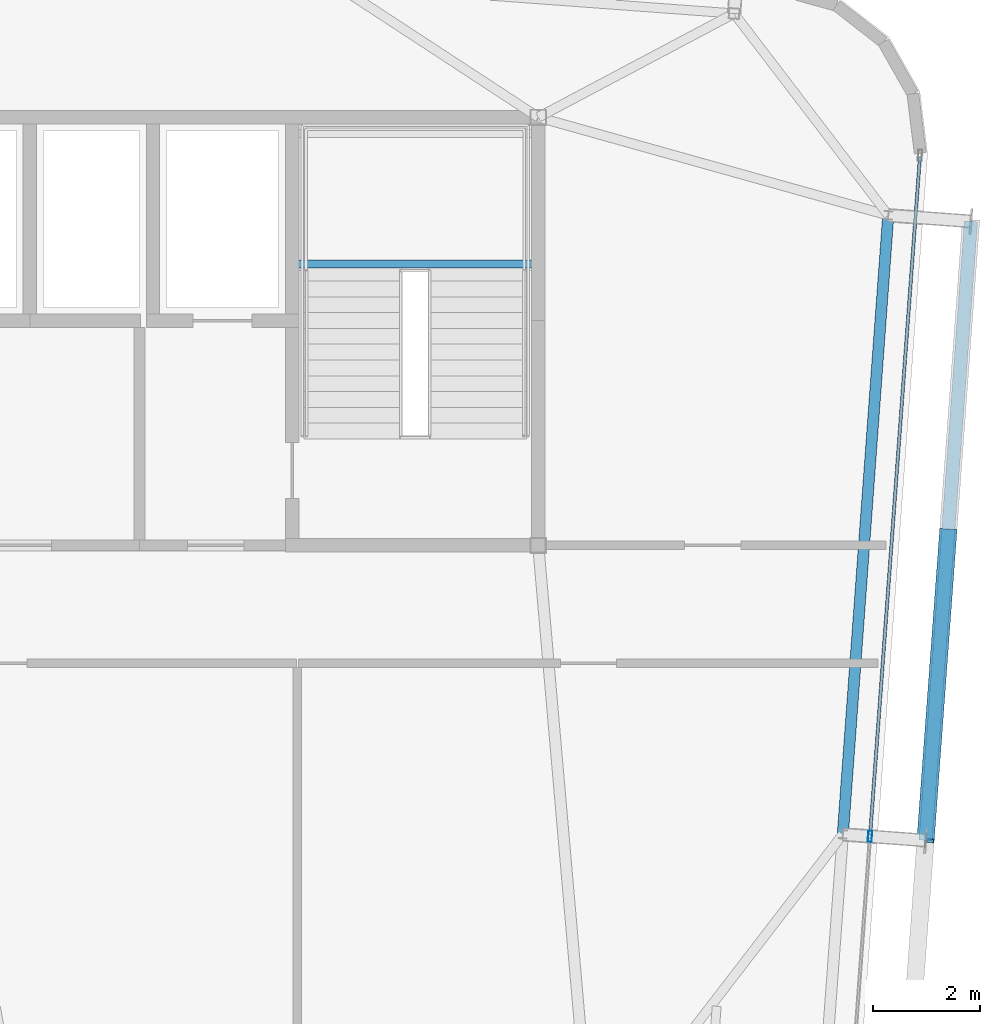
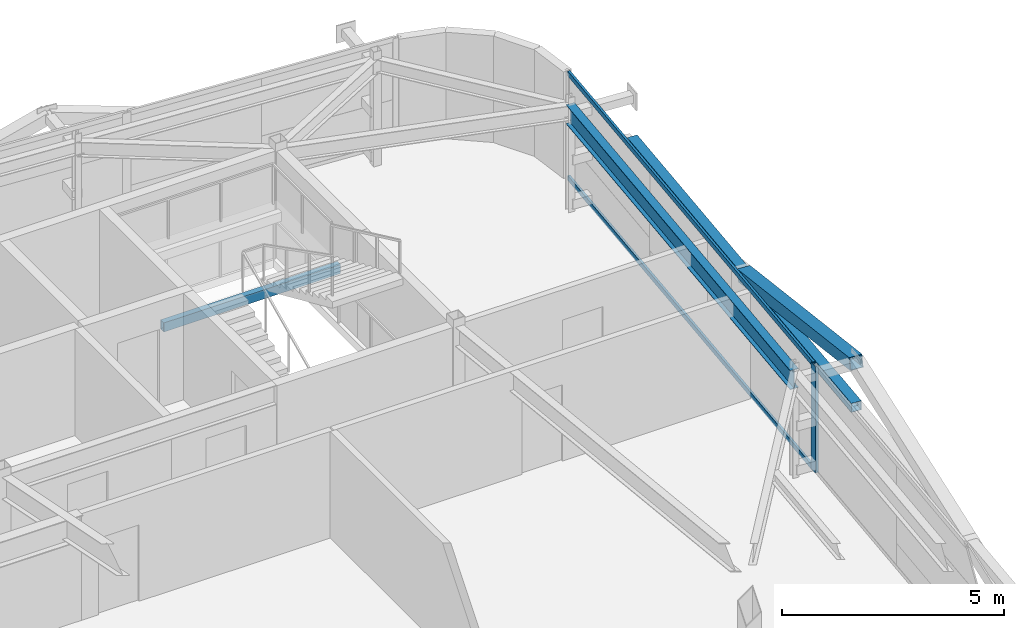
# One storey, part 21 of 39: 5 members, 2 beams, 1 element without a shape of its own.
"""IFC4 building model written with IfcOpenShell, lengths in metres."""

from ifc_helpers import new_model, si_unit, direction, frame, origin, origin_2d, place, context, subcontext, project, spatial, hollow_rectangle, i_section, extrude, source, transform, mapped, material, layer, layer_set, material_profile, profile_set, type_object, element, aggregate, save


model = new_model("IFC4")

# Units and contexts
model_context = context("Model", 3, precision=1e-05, world=origin(), true_north=direction((0.0, 1.0)))
body_context = subcontext(model_context, "Body", "Model", "MODEL_VIEW")
ifc_project = project(units=[si_unit("LENGTHUNIT", "METRE"), si_unit("AREAUNIT", "SQUARE_METRE"), si_unit("VOLUMEUNIT", "CUBIC_METRE"), si_unit("PLANEANGLEUNIT", "RADIAN"), si_unit("MASSUNIT", "GRAM", prefix="KILO")], contexts=[model_context])

# Site, building, storey
site_placement = place(None, origin())
site = spatial("IfcSite", under=ifc_project, at=site_placement, CompositionType="ELEMENT")
building_placement = place(site_placement, origin())
building = spatial("IfcBuilding", under=site, at=building_placement, Name="Taldren Reach Tower", CompositionType="ELEMENT")
storey_placement = place(building_placement, frame((0.0, 0.0, 230.300048828125)))
storey = spatial("IfcBuildingStorey", under=building, at=storey_placement, Name="L70", CompositionType="ELEMENT", Elevation=230.300048828125)

# Beam
ifc_material_1 = material(Name="Steel Gr 350 (350PLUS)", Category="steel")
ifc_material_profile_1 = material_profile(ifc_material_1, i_section(OverallWidth=0.208984375, OverallDepth=0.528076171875, WebThickness=0.009521484375, FlangeThickness=0.01318359375, at=origin_2d()), Name="530UB82.0")
ifc_profile_set_1 = profile_set([ifc_material_profile_1], Name="Steel Gr 350 (350PLUS)")
beam_type_1 = type_object("IfcBeamType", Name="SP-UB530B", PredefinedType="SPANDREL", material=ifc_profile_set_1)
shared_shape_1 = source(origin(), body_context, "Body", "SweptSolid", [
    extrude(i_section(OverallWidth=0.208984375, OverallDepth=0.528076171875, WebThickness=0.009521484375, FlangeThickness=0.01318359375, at=origin_2d()), origin(), (0.0, 0.0, 1.0), 11.60009765625),
])
beam_1_placement = place(storey_placement, frame((56.69140625, 18.599853515625, 2.666015625), z_axis=(0.073221234109, 0.997315722766, 0.0), x_axis=(-0.997315722766, 0.073221234109, 0.0)))
element("IfcBeam", 1, at=beam_1_placement, inside=storey, type_object=beam_type_1, Name="Perimeter spandrel B5 E2-E3 L70", PredefinedType="SPANDREL", context=body_context, shape_type="MappedRepresentation", body=[
    mapped(shared_shape_1, transform((0.0, 0.0, 0.0), scale=1.0)),
])

# Members
ifc_material_2 = material(Name="Steel Gr 450 (C450L0)", Category="steel")
ifc_material_profile_2 = material_profile(ifc_material_2, hollow_rectangle(XDim=0.324951171875, YDim=0.324951171875, WallThickness=0.0126953125, at=origin_2d()), Name="325x325x12.7SHS")
ifc_profile_set_2 = profile_set([ifc_material_profile_2], Name="Steel Gr 450 (C450L0)")
member_type_1 = type_object("IfcMemberType", Name="MB-BR324", PredefinedType="BRACE", material=ifc_profile_set_2)
shared_shape_2 = source(origin(), body_context, "Body", "SweptSolid", [
    extrude(hollow_rectangle(XDim=0.324951171875, YDim=0.324951171875, WallThickness=0.0126953125, at=origin_2d()), origin(), (0.0, 0.0, 1.0), 5.92578125),
])
member_1_placement = place(storey_placement, frame((58.661865234375, 24.270751953125, 1.43505859375), z_axis=(-0.071686540919, -0.976131732187, 0.205007027365), x_axis=(0.997314185625, -0.073242167855, 0.0)))
element("IfcMember", 2, at=member_1_placement, inside=storey, type_object=member_type_1, Name="Exoskeleton Diagrid Brace B5-E2 L70", PredefinedType="BRACE", context=body_context, shape_type="MappedRepresentation", body=[
    mapped(shared_shape_2, transform((0.0, 0.0, 0.0), scale=1.0)),
])
ifc_material_3 = material(Name="Steel Gr 350 (C350L0)", Category="steel")
ifc_material_profile_3 = material_profile(ifc_material_3, hollow_rectangle(XDim=0.25, YDim=0.25, WallThickness=0.010009765625, at=origin_2d()), Name="250x250x10.0SHS")
ifc_profile_set_3 = profile_set([ifc_material_profile_3], Name="Steel Gr 350 (C350L0)")
member_type_2 = type_object("IfcMemberType", Name="MB-POST250", PredefinedType="POST", material=ifc_profile_set_3)
shared_shape_3 = source(origin(), body_context, "Body", "SweptSolid", [
    extrude(hollow_rectangle(XDim=0.25, YDim=0.25, WallThickness=0.010009765625, at=origin_2d()), origin(), (0.0, 0.0, 1.0), 11.60009765625),
])
member_2_placement = place(storey_placement, frame((58.237060546875, 18.486328125, 1.43505859375), z_axis=(0.073242167855, 0.997314185625, 0.0), x_axis=(-0.997314185625, 0.073242167855, 0.0)))
element("IfcMember", 3, at=member_2_placement, inside=storey, type_object=member_type_2, Name="Exoskeleton mid-height ring chord B5-E2 L70", PredefinedType="POST", context=body_context, shape_type="MappedRepresentation", body=[
    mapped(shared_shape_3, transform((0.0, 0.0, 0.0), scale=1.0)),
])

# Curtain wall, members
ifc_material_4 = material(Name="Aluminium and Low-E Glass Unitised System", Category="aluminium")
ifc_layer = layer(ifc_material_4, 0.159912109375)
ifc_layer_set = layer_set([ifc_layer], Name="Aluminium and Low-E Glass Unitised System")
curtain_wall_type = type_object("IfcCurtainWallType", Name="CW-SYS-7", PredefinedType="NOTDEFINED", material=ifc_layer_set)
curtain_wall_placement = place(storey_placement, origin())
curtain_wall = element("IfcCurtainWall", 4, at=curtain_wall_placement, inside=storey, type_object=curtain_wall_type, Name="Unitised curtain wall CW-L70-E", PredefinedType="NOTDEFINED")
ifc_material_5 = material(Name="Anodised Aluminium 6063-T6", Category="aluminium")
ifc_material_profile_4 = material_profile(ifc_material_5, hollow_rectangle(XDim=0.06005859375, YDim=0.135009765625, WallThickness=0.00341796875, at=origin_2d()), Name="ALU-135x60x3.5RHS")
ifc_profile_set_4 = profile_set([ifc_material_profile_4], Name="Anodised Aluminium 6063-T6")
member_type_3 = type_object("IfcMemberType", Name="CW-TRN-150", PredefinedType="USERDEFINED", material=ifc_profile_set_4)
shared_shape_4 = source(origin(), body_context, "Body", "SweptSolid", [
    extrude(hollow_rectangle(XDim=0.06005859375, YDim=0.135009765625, WallThickness=0.00341796875, at=origin_2d()), origin(), (0.0, 0.0, 1.0), 12.6875),
])
member_3_placement = place(storey_placement, frame((57.20263671875, 18.599853515625, 0.030029296875), z_axis=(0.073237997916, 0.997314491854, 0.0), x_axis=(-0.997314491854, 0.073237997916, 0.0)))
member_3 = element("IfcMember", 5, at=member_3_placement, type_object=member_type_3, Name="CW-7 transom 2.1", ObjectType="TRANSOM", PredefinedType="USERDEFINED", context=body_context, shape_type="MappedRepresentation", body=[
    mapped(shared_shape_4, transform((0.0, 0.0, 0.0), scale=1.0)),
])
member_4_placement = place(storey_placement, frame((57.20263671875, 18.599853515625, 2.89990234375), z_axis=(0.073237997916, 0.997314491854, 0.0), x_axis=(-0.997314491854, 0.073237997916, 0.0)))
member_4 = element("IfcMember", 6, at=member_4_placement, type_object=member_type_3, Name="CW-7 transom 2.2", ObjectType="TRANSOM", PredefinedType="USERDEFINED", context=body_context, shape_type="MappedRepresentation", body=[
    mapped(shared_shape_4, transform((0.0, 0.0, 0.0), scale=1.0)),
])
ifc_material_profile_5 = material_profile(ifc_material_5, hollow_rectangle(XDim=0.074951171875, YDim=0.2099609375, WallThickness=0.00439453125, at=origin_2d()), Name="ALU-210x75x4.5RHS")
ifc_profile_set_5 = profile_set([ifc_material_profile_5], Name="Anodised Aluminium 6063-T6")
member_type_4 = type_object("IfcMemberType", Name="CW-MUL-200", PredefinedType="MULLION", material=ifc_profile_set_5)
shared_shape_5 = source(origin(), body_context, "Body", "SweptSolid", [
    extrude(hollow_rectangle(XDim=0.074951171875, YDim=0.2099609375, WallThickness=0.00439453125, at=origin_2d()), origin(), (0.0, 0.0, 1.0), 2.929931640625),
])
member_5_placement = place(storey_placement, frame((57.199951171875, 18.5625, 0.0), z_axis=(0.0, 0.0, 1.0), x_axis=(-0.997314470951, 0.073238282558, 0.0)))
member_5 = element("IfcMember", 7, at=member_5_placement, type_object=member_type_4, Name="CW-7 mullion 2", PredefinedType="MULLION", context=body_context, shape_type="MappedRepresentation", body=[
    mapped(shared_shape_5, transform((0.0, 0.0, 0.0), scale=1.0)),
])
aggregate(curtain_wall, [member_5, member_3, member_4])

# Beam
ifc_material_profile_6 = material_profile(ifc_material_3, hollow_rectangle(XDim=0.14990234375, YDim=0.25, WallThickness=0.009033203125, at=origin_2d()), Name="250x150x9.0RHS")
ifc_profile_set_6 = profile_set([ifc_material_profile_6], Name="Steel Gr 350 (C350L0)")
beam_type_2 = type_object("IfcBeamType", Name="LN-RHS250", PredefinedType="LINTEL", material=ifc_profile_set_6)
shared_shape_6 = source(origin(), body_context, "Body", "SweptSolid", [
    extrude(hollow_rectangle(XDim=0.14990234375, YDim=0.25, WallThickness=0.009033203125, at=origin_2d()), origin(), (0.0, 0.0, 1.0), 4.60009765625),
])
beam_2_placement = place(storey_placement, frame((46.39990234375, 29.2548828125, 1.27001953125), z_axis=(1.0, 0.0, 0.0), x_axis=(0.0, 1.0, 0.0)))
element("IfcBeam", 8, at=beam_2_placement, inside=storey, type_object=beam_type_2, Name="Stair half-landing support beam ST2-L70-1", PredefinedType="LINTEL", context=body_context, shape_type="MappedRepresentation", body=[
    mapped(shared_shape_6, transform((0.0, 0.0, 0.0), scale=1.0)),
])

save(model, "model.ifc")
